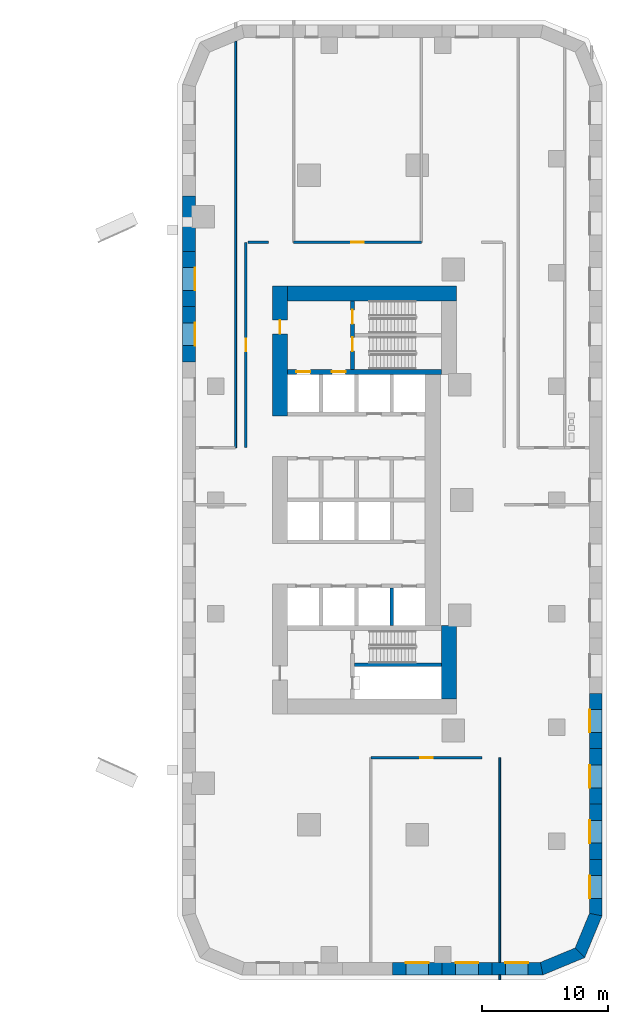
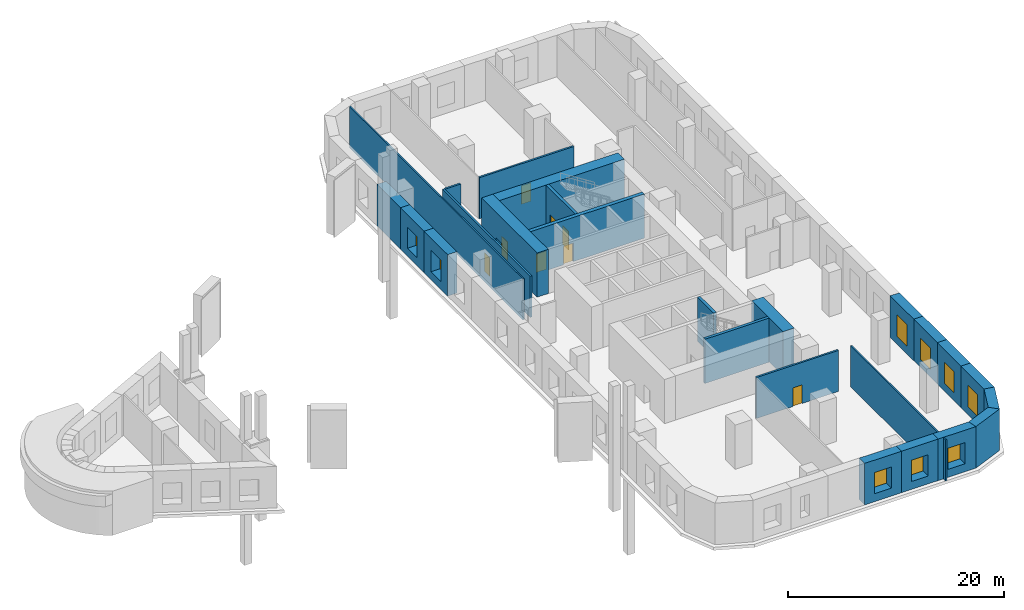
# One storey, part 4 of 11: 26 walls, 9 windows, 8 doors, 17 openings.
"""IFC4 building model written with IfcOpenShell, lengths in metres."""

from ifc_helpers import new_model, si_unit, direction, frame, frame_2d, origin, place, context, subcontext, project, spatial, polyline, rectangle, outline, extrude, material, layer, layer_set, type_object, element, fill, save


model = new_model("IFC4")

# Units and contexts
model_context = context("Model", 3, precision=1e-05, world=origin(), true_north=direction((0.0, 1.0)))
body_context = subcontext(model_context, "Body", "Model", "MODEL_VIEW")
ifc_project = project(units=[si_unit("LENGTHUNIT", "METRE"), si_unit("AREAUNIT", "SQUARE_METRE"), si_unit("VOLUMEUNIT", "CUBIC_METRE"), si_unit("PLANEANGLEUNIT", "RADIAN"), si_unit("MASSUNIT", "GRAM", prefix="KILO")], contexts=[model_context])

# Site, building, storey
site_placement = place(None, origin())
site = spatial("IfcSite", under=ifc_project, at=site_placement, CompositionType="ELEMENT")
building_placement = place(site_placement, origin())
building = spatial("IfcBuilding", under=site, at=building_placement, Name="Ostrand Prow Hotel Tower", CompositionType="ELEMENT")
storey_placement = place(building_placement, frame((0.0, 0.0, 19.0)))
storey = spatial("IfcBuildingStorey", under=building, at=storey_placement, Name="L03", CompositionType="ELEMENT", Elevation=19.0)

# Wall, opening, door
ifc_material_1 = material(Name="Concrete C80/95", Category="concrete")
ifc_layer_1 = layer(ifc_material_1, 1.199951171875)
ifc_layer_set_1 = layer_set([ifc_layer_1], Name="Concrete C80/95")
wall_type_1 = type_object("IfcWallType", Name="Core wall 1200 C80/95", PredefinedType="SHEAR", material=ifc_layer_set_1)
wall_1_placement = place(storey_placement, frame((50.10009765625, 6.64990234375, 0.0), z_axis=(0.0, 0.0, 1.0), x_axis=(0.0, 1.0, 0.0)))
wall_1 = element("IfcWall", 1, at=wall_1_placement, inside=storey, type_object=wall_type_1, Name="Core wall CW-W-N", PredefinedType="SHEAR", context=body_context, shape_type="SweptSolid", body=[
    extrude(rectangle(XDim=10.300048828125, YDim=1.199951171875, at=frame_2d((5.14990234375, 0.0))), origin(), (0.0, 0.0, 1.0), 5.0),
])
opening_1_placement = place(wall_1_placement, frame((6.5, 0.0, 0.0)))
opening_1 = element("IfcOpeningElement", 2, at=opening_1_placement, cuts=wall_1, Name="Opening FD1", PredefinedType="OPENING", context=body_context, shape_type="SweptSolid", body=[
    extrude(rectangle(XDim=1.10009765625, YDim=2.10009765625, at=frame_2d((0.550048828125, 1.050048828125))), frame((0.0, 0.60986328125, 0.0), z_axis=(0.0, -1.0, 0.0), x_axis=(1.0, 0.0, 0.0)), (0.0, 0.0, 1.0), 1.219970703125),
])
ifc_material_2 = material(Name="Steel fire door", Category="steel")
door_type_1 = type_object("IfcDoorType", Name="Fire door 1100 EI120", OperationType="SINGLE_SWING_RIGHT", PredefinedType="DOOR", material=ifc_material_2)
door_1_placement = place(opening_1_placement, origin())
door_1 = element("IfcDoor", 3, at=door_1_placement, inside=storey, type_object=door_type_1, Name="FIRE DOOR", OperationType="SINGLE_SWING_RIGHT", OverallHeight=2.10009765625, OverallWidth=1.10009765625, PredefinedType="DOOR", context=body_context, shape_type="SweptSolid", body=[
    extrude(rectangle(XDim=1.10009765625, YDim=2.10009765625, at=frame_2d((0.550048828125, 1.050048828125))), frame((0.0, 0.02490234375, 0.0), z_axis=(0.0, -1.0, 0.0), x_axis=(1.0, 0.0, 0.0)), (0.0, 0.0, 1.0), 0.050048828125),
])
fill(opening_1, door_1)

# Walls
wall_2_placement = place(storey_placement, frame((50.699951171875, 16.35009765625, 0.0), z_axis=(0.0, 0.0, 1.0), x_axis=(1.0, 0.0, 0.0)))
element("IfcWall", 4, at=wall_2_placement, inside=storey, type_object=wall_type_1, Name="Core wall CW-N", PredefinedType="SHEAR", context=body_context, shape_type="SweptSolid", body=[
    extrude(rectangle(XDim=13.380126953125, YDim=1.199951171875, at=frame_2d((6.68994140625, 0.0))), origin(), (0.0, 0.0, 1.0), 5.0),
])
wall_3_placement = place(storey_placement, frame((63.47998046875, -15.75, 0.0), z_axis=(0.0, 0.0, 1.0), x_axis=(0.0, 1.0, 0.0)))
element("IfcWall", 5, at=wall_3_placement, inside=storey, type_object=wall_type_1, Name="Core wall CW-E-S", PredefinedType="SHEAR", context=body_context, shape_type="SweptSolid", body=[
    extrude(rectangle(XDim=5.800048828125, YDim=1.199951171875, at=frame_2d((2.89990234375, 0.0))), origin(), (0.0, 0.0, 1.0), 5.0),
])
ifc_material_3 = material(Name="Concrete C80/95", Category="concrete")
ifc_layer_2 = layer(ifc_material_3, 0.300048828125)
ifc_layer_set_2 = layer_set([ifc_layer_2], Name="Concrete C80/95")
wall_type_2 = type_object("IfcWallType", Name="Core wall 300 C80/95", PredefinedType="SHEAR", material=ifc_layer_set_2)
wall_4_placement = place(storey_placement, frame((58.949951171875, -9.949951171875, 0.0), z_axis=(0.0, 0.0, 1.0), x_axis=(0.0, 1.0, 0.0)))
element("IfcWall", 6, at=wall_4_placement, inside=storey, type_object=wall_type_2, Name="Core wall PW-R3-SA", PredefinedType="SHEAR", context=body_context, shape_type="SweptSolid", body=[
    extrude(rectangle(XDim=3.0, YDim=0.300048828125, at=frame_2d((1.5, 0.0))), origin(), (0.0, 0.0, 1.0), 5.0),
])

# Wall, openings, doors
wall_5_placement = place(storey_placement, frame((55.85009765625, 10.35009765625, 0.0), z_axis=(0.0, 0.0, 1.0), x_axis=(0.0, 1.0, 0.0)))
wall_5 = element("IfcWall", 7, at=wall_5_placement, inside=storey, type_object=wall_type_2, Name="Core wall PW-VN", PredefinedType="SHEAR", context=body_context, shape_type="SweptSolid", body=[
    extrude(rectangle(XDim=5.39990234375, YDim=0.300048828125, at=frame_2d((2.699951171875, 0.0))), origin(), (0.0, 0.0, 1.0), 5.0),
])
opening_2_placement = place(wall_5_placement, frame((1.429931640625, 0.0, 0.0)))
opening_2 = element("IfcOpeningElement", 8, at=opening_2_placement, cuts=wall_5, Name="Opening FD1", PredefinedType="OPENING", context=body_context, shape_type="SweptSolid", body=[
    extrude(rectangle(XDim=1.10009765625, YDim=2.10009765625, at=frame_2d((0.550048828125, 1.050048828125))), frame((0.0, 0.159912109375, 0.0), z_axis=(0.0, -1.0, 0.0), x_axis=(1.0, 0.0, 0.0)), (0.0, 0.0, 1.0), 0.320068359375),
])
opening_3_placement = place(wall_5_placement, frame((3.60009765625, 0.0, 0.0)))
opening_3 = element("IfcOpeningElement", 9, at=opening_3_placement, cuts=wall_5, Name="Opening FD1", PredefinedType="OPENING", context=body_context, shape_type="SweptSolid", body=[
    extrude(rectangle(XDim=1.10009765625, YDim=2.10009765625, at=frame_2d((0.550048828125, 1.050048828125))), frame((0.0, 0.159912109375, 0.0), z_axis=(0.0, -1.0, 0.0), x_axis=(1.0, 0.0, 0.0)), (0.0, 0.0, 1.0), 0.320068359375),
])
door_2_placement = place(opening_2_placement, origin())
door_2 = element("IfcDoor", 10, at=door_2_placement, inside=storey, type_object=door_type_1, Name="FIRE DOOR", OperationType="SINGLE_SWING_RIGHT", OverallHeight=2.10009765625, OverallWidth=1.10009765625, PredefinedType="DOOR", context=body_context, shape_type="SweptSolid", body=[
    extrude(rectangle(XDim=1.10009765625, YDim=2.10009765625, at=frame_2d((0.550048828125, 1.050048828125))), frame((0.0, 0.02490234375, 0.0), z_axis=(0.0, -1.0, 0.0), x_axis=(1.0, 0.0, 0.0)), (0.0, 0.0, 1.0), 0.050048828125),
])
fill(opening_2, door_2)
door_3_placement = place(opening_3_placement, origin())
door_3 = element("IfcDoor", 11, at=door_3_placement, inside=storey, type_object=door_type_1, Name="FIRE DOOR", OperationType="SINGLE_SWING_RIGHT", OverallHeight=2.10009765625, OverallWidth=1.10009765625, PredefinedType="DOOR", context=body_context, shape_type="SweptSolid", body=[
    extrude(rectangle(XDim=1.10009765625, YDim=2.10009765625, at=frame_2d((0.550048828125, 1.050048828125))), frame((0.0, 0.02490234375, 0.0), z_axis=(0.0, -1.0, 0.0), x_axis=(1.0, 0.0, 0.0)), (0.0, 0.0, 1.0), 0.050048828125),
])
fill(opening_3, door_3)

# Wall
wall_6_placement = place(storey_placement, frame((56.0, -13.050048828125, 0.0), z_axis=(0.0, 0.0, 1.0), x_axis=(1.0, 0.0, 0.0)))
element("IfcWall", 12, at=wall_6_placement, inside=storey, type_object=wall_type_2, Name="Core wall PW-ST2R", PredefinedType="SHEAR", context=body_context, shape_type="SweptSolid", body=[
    extrude(rectangle(XDim=6.8798828125, YDim=0.300048828125, at=frame_2d((3.43994140625, 0.0))), origin(), (0.0, 0.0, 1.0), 5.0),
])

# Wall, openings, doors
ifc_material_4 = material(Name="Concrete C80/95", Category="concrete")
ifc_layer_3 = layer(ifc_material_4, 0.39990234375)
ifc_layer_set_3 = layer_set([ifc_layer_3], Name="Concrete C80/95")
wall_type_3 = type_object("IfcWallType", Name="Core wall 400 C80/95", PredefinedType="SHEAR", material=ifc_layer_set_3)
wall_7_placement = place(storey_placement, frame((50.699951171875, 10.14990234375, 0.0), z_axis=(0.0, 0.0, 1.0), x_axis=(1.0, 0.0, 0.0)))
wall_7 = element("IfcWall", 13, at=wall_7_placement, inside=storey, type_object=wall_type_3, Name="Core wall PW-BN", PredefinedType="SHEAR", context=body_context, shape_type="SweptSolid", body=[
    extrude(rectangle(XDim=12.179931640625, YDim=0.39990234375, at=frame_2d((6.08984375, 0.0))), origin(), (0.0, 0.0, 1.0), 5.0),
])
opening_4_placement = place(wall_7_placement, frame((0.699951171875, 0.0, 0.0)))
opening_4 = element("IfcOpeningElement", 14, at=opening_4_placement, cuts=wall_7, Name="Opening LD", PredefinedType="OPENING", context=body_context, shape_type="SweptSolid", body=[
    extrude(rectangle(XDim=1.10009765625, YDim=2.10009765625, at=frame_2d((0.550048828125, 1.050048828125))), frame((0.0, 0.2099609375, 0.0), z_axis=(0.0, -1.0, 0.0), x_axis=(1.0, 0.0, 0.0)), (0.0, 0.0, 1.0), 0.419921875),
])
opening_5_placement = place(wall_7_placement, frame((3.5, 0.0, 0.0)))
opening_5 = element("IfcOpeningElement", 15, at=opening_5_placement, cuts=wall_7, Name="Opening LD", PredefinedType="OPENING", context=body_context, shape_type="SweptSolid", body=[
    extrude(rectangle(XDim=1.10009765625, YDim=2.10009765625, at=frame_2d((0.550048828125, 1.050048828125))), frame((0.0, 0.2099609375, 0.0), z_axis=(0.0, -1.0, 0.0), x_axis=(1.0, 0.0, 0.0)), (0.0, 0.0, 1.0), 0.419921875),
])
ifc_material_5 = material(Name="Stainless steel door", Category="steel")
door_type_2 = type_object("IfcDoorType", Name="Lift landing door 1100", OperationType="DOUBLE_DOOR_SLIDING", PredefinedType="DOOR", material=ifc_material_5)
door_4_placement = place(opening_4_placement, origin())
door_4 = element("IfcDoor", 16, at=door_4_placement, inside=storey, type_object=door_type_2, Name="LIFT LANDING DOOR", OperationType="DOUBLE_DOOR_SLIDING", OverallHeight=2.10009765625, OverallWidth=1.10009765625, PredefinedType="DOOR", context=body_context, shape_type="SweptSolid", body=[
    extrude(rectangle(XDim=1.10009765625, YDim=2.10009765625, at=frame_2d((0.550048828125, 1.050048828125))), frame((0.0, 0.02490234375, 0.0), z_axis=(0.0, -1.0, 0.0), x_axis=(1.0, 0.0, 0.0)), (0.0, 0.0, 1.0), 0.050048828125),
])
fill(opening_4, door_4)
door_5_placement = place(opening_5_placement, origin())
door_5 = element("IfcDoor", 17, at=door_5_placement, inside=storey, type_object=door_type_2, Name="LIFT LANDING DOOR", OperationType="DOUBLE_DOOR_SLIDING", OverallHeight=2.10009765625, OverallWidth=1.10009765625, PredefinedType="DOOR", context=body_context, shape_type="SweptSolid", body=[
    extrude(rectangle(XDim=1.10009765625, YDim=2.10009765625, at=frame_2d((0.550048828125, 1.050048828125))), frame((0.0, 0.02490234375, 0.0), z_axis=(0.0, -1.0, 0.0), x_axis=(1.0, 0.0, 0.0)), (0.0, 0.0, 1.0), 0.050048828125),
])
fill(opening_5, door_5)

# Walls
ifc_material_6 = material(Name="Plasterboard partition")
ifc_layer_4 = layer(ifc_material_6, 0.14990234375)
ifc_layer_set_4 = layer_set([ifc_layer_4], Name="Plasterboard partition")
wall_type_4 = type_object("IfcWallType", Name="Partition 150 room partition", PredefinedType="PARTITIONING", material=ifc_layer_set_4)
wall_8_placement = place(storey_placement, frame((67.5, -38.0, 0.0), z_axis=(0.0, 0.0, 1.0), x_axis=(0.0, 1.0, 0.0)))
element("IfcWall", 18, at=wall_8_placement, inside=storey, type_object=wall_type_4, Name="ROOM PARTITION", PredefinedType="PARTITIONING", context=body_context, shape_type="SweptSolid", body=[
    extrude(rectangle(XDim=0.39990234375, YDim=0.14990234375, at=frame_2d((0.199951171875, 0.0))), origin(), (0.0, 0.0, 1.0), 4.64990234375),
])
wall_9_placement = place(storey_placement, frame((67.5, -36.60009765625, 0.0), z_axis=(0.0, 0.0, 1.0), x_axis=(0.0, 1.0, 0.0)))
element("IfcWall", 19, at=wall_9_placement, inside=storey, type_object=wall_type_4, Name="ROOM PARTITION", PredefinedType="PARTITIONING", context=body_context, shape_type="SweptSolid", body=[
    extrude(rectangle(XDim=16.2001953125, YDim=0.14990234375, at=frame_2d((8.10009765625, 0.0))), origin(), (0.0, 0.0, 1.0), 4.64990234375),
])
wall_10_placement = place(storey_placement, frame((46.594482421875, 4.138671875, 0.0), z_axis=(0.0, 0.0, 1.0), x_axis=(0.0, 1.0, 0.0)))
element("IfcWall", 20, at=wall_10_placement, inside=storey, type_object=wall_type_4, Name="ROOM PARTITION", PredefinedType="PARTITIONING", context=body_context, shape_type="SweptSolid", body=[
    extrude(rectangle(XDim=32.177978515625, YDim=0.14990234375, at=frame_2d((16.0888671875, 0.0))), origin(), (0.0, 0.0, 1.0), 4.64990234375),
])

# Wall, opening, door
ifc_material_7 = material(Name="Plasterboard partition")
ifc_layer_5 = layer(ifc_material_7, 0.199951171875)
ifc_layer_set_5 = layer_set([ifc_layer_5], Name="Plasterboard partition")
wall_type_5 = type_object("IfcWallType", Name="Partition 200 corridor wall", PredefinedType="PARTITIONING", material=ifc_layer_set_5)
wall_11_placement = place(storey_placement, frame((57.300048828125, -20.39990234375, 0.0), z_axis=(0.0, 0.0, 1.0), x_axis=(1.0, 0.0, 0.0)))
wall_11 = element("IfcWall", 21, at=wall_11_placement, inside=storey, type_object=wall_type_5, Name="CORRIDOR WALL", PredefinedType="PARTITIONING", context=body_context, shape_type="SweptSolid", body=[
    extrude(rectangle(XDim=8.7900390625, YDim=0.199951171875, at=frame_2d((4.39501953125, 0.0))), origin(), (0.0, 0.0, 1.0), 4.64990234375),
])
opening_6_placement = place(wall_11_placement, frame((3.89501953125, 0.0, 0.0)))
opening_6 = element("IfcOpeningElement", 22, at=opening_6_placement, cuts=wall_11, Name="Opening D1R", PredefinedType="OPENING", context=body_context, shape_type="SweptSolid", body=[
    extrude(rectangle(XDim=1.0, YDim=2.10009765625, at=frame_2d((0.5, 1.050048828125))), frame((0.0, 0.10986328125, 0.0), z_axis=(0.0, -1.0, 0.0), x_axis=(1.0, 0.0, 0.0)), (0.0, 0.0, 1.0), 0.219970703125),
])
ifc_material_8 = material(Name="Timber door leaf", Category="wood")
door_type_3 = type_object("IfcDoorType", Name="Guest room door 1000 right", OperationType="SINGLE_SWING_RIGHT", PredefinedType="DOOR", material=ifc_material_8)
door_6_placement = place(opening_6_placement, origin())
door_6 = element("IfcDoor", 23, at=door_6_placement, inside=storey, type_object=door_type_3, Name="DOOR", OperationType="SINGLE_SWING_RIGHT", OverallHeight=2.10009765625, OverallWidth=1.0, PredefinedType="DOOR", context=body_context, shape_type="SweptSolid", body=[
    extrude(rectangle(XDim=1.0, YDim=2.10009765625, at=frame_2d((0.5, 1.050048828125))), frame((0.0, 0.02490234375, 0.0), z_axis=(0.0, -1.0, 0.0), x_axis=(1.0, 0.0, 0.0)), (0.0, 0.0, 1.0), 0.050048828125),
])
fill(opening_6, door_6)

wall_12_placement = place(storey_placement, frame((47.39990234375, 20.39990234375, 0.0), z_axis=(0.0, 0.0, 1.0), x_axis=(0.0, -1.0, 0.0)))
wall_12 = element("IfcWall", 24, at=wall_12_placement, inside=storey, type_object=wall_type_5, Name="CORRIDOR WALL", PredefinedType="PARTITIONING", context=body_context, shape_type="SweptSolid", body=[
    extrude(rectangle(XDim=16.26123046875, YDim=0.199951171875, at=frame_2d((8.130615234375, 0.0))), origin(), (0.0, 0.0, 1.0), 4.64990234375),
])
opening_7_placement = place(wall_12_placement, frame((7.630615234375, 0.0, 0.0)))
opening_7 = element("IfcOpeningElement", 25, at=opening_7_placement, cuts=wall_12, Name="Opening D1", PredefinedType="OPENING", context=body_context, shape_type="SweptSolid", body=[
    extrude(rectangle(XDim=1.0, YDim=2.10009765625, at=frame_2d((0.5, 1.050048828125))), frame((0.0, 0.10986328125, 0.0), z_axis=(0.0, -1.0, 0.0), x_axis=(1.0, 0.0, 0.0)), (0.0, 0.0, 1.0), 0.219970703125),
])
ifc_material_9 = material(Name="Timber door leaf", Category="wood")
door_type_4 = type_object("IfcDoorType", Name="Guest room door 1000", OperationType="SINGLE_SWING_LEFT", PredefinedType="DOOR", material=ifc_material_9)
door_7_placement = place(opening_7_placement, origin())
door_7 = element("IfcDoor", 26, at=door_7_placement, inside=storey, type_object=door_type_4, Name="DOOR", OperationType="SINGLE_SWING_LEFT", OverallHeight=2.10009765625, OverallWidth=1.0, PredefinedType="DOOR", context=body_context, shape_type="SweptSolid", body=[
    extrude(rectangle(XDim=1.0, YDim=2.10009765625, at=frame_2d((0.5, 1.050048828125))), frame((0.0, 0.02490234375, 0.0), z_axis=(0.0, -1.0, 0.0), x_axis=(1.0, 0.0, 0.0)), (0.0, 0.0, 1.0), 0.050048828125),
])
fill(opening_7, door_7)

wall_13_placement = place(storey_placement, frame((61.29736328125, 20.39990234375, 0.0), z_axis=(0.0, 0.0, 1.0), x_axis=(-1.0, 0.0, 0.0)))
wall_13 = element("IfcWall", 27, at=wall_13_placement, inside=storey, type_object=wall_type_5, Name="CORRIDOR WALL", PredefinedType="PARTITIONING", context=body_context, shape_type="SweptSolid", body=[
    extrude(rectangle(XDim=10.108154296875, YDim=0.199951171875, at=frame_2d((5.05419921875, 0.0))), origin(), (0.0, 0.0, 1.0), 4.64990234375),
])
opening_8_placement = place(wall_13_placement, frame((4.55419921875, 0.0, 0.0)))
opening_8 = element("IfcOpeningElement", 28, at=opening_8_placement, cuts=wall_13, Name="Opening D1R", PredefinedType="OPENING", context=body_context, shape_type="SweptSolid", body=[
    extrude(rectangle(XDim=1.0, YDim=2.10009765625, at=frame_2d((0.5, 1.050048828125))), frame((0.0, 0.10986328125, 0.0), z_axis=(0.0, -1.0, 0.0), x_axis=(1.0, 0.0, 0.0)), (0.0, 0.0, 1.0), 0.219970703125),
])
door_8_placement = place(opening_8_placement, origin())
door_8 = element("IfcDoor", 29, at=door_8_placement, inside=storey, type_object=door_type_3, Name="DOOR", OperationType="SINGLE_SWING_RIGHT", OverallHeight=2.10009765625, OverallWidth=1.0, PredefinedType="DOOR", context=body_context, shape_type="SweptSolid", body=[
    extrude(rectangle(XDim=1.0, YDim=2.10009765625, at=frame_2d((0.5, 1.050048828125))), frame((0.0, 0.02490234375, 0.0), z_axis=(0.0, -1.0, 0.0), x_axis=(1.0, 0.0, 0.0)), (0.0, 0.0, 1.0), 0.050048828125),
])
fill(opening_8, door_8)

# Wall
wall_14_placement = place(storey_placement, frame((47.550048828125, 20.39990234375, 0.0), z_axis=(0.0, 0.0, 1.0), x_axis=(1.0, 0.0, 0.0)))
element("IfcWall", 30, at=wall_14_placement, inside=storey, type_object=wall_type_5, Name="CORRIDOR WALL", PredefinedType="PARTITIONING", context=body_context, shape_type="SweptSolid", body=[
    extrude(rectangle(XDim=1.64990234375, YDim=0.199951171875, at=frame_2d((0.824951171875, 0.0))), origin(), (0.0, 0.0, 1.0), 4.64990234375),
])

# Wall, opening, window
ifc_material_10 = material(Name="Precast concrete C40/50", Category="concrete")
ifc_layer_6 = layer(ifc_material_10, 1.0)
ifc_layer_set_6 = layer_set([ifc_layer_6], Name="Precast concrete C40/50")
wall_type_6 = type_object("IfcWallType", Name="Portal pier wall 1000 mm", PredefinedType="NOTDEFINED", material=ifc_layer_set_6)
wall_15_placement = place(storey_placement, frame((59.0, -37.10009765625, 0.0), z_axis=(0.0, 0.0, 1.0), x_axis=(1.0, 0.0, 0.0)))
wall_15 = element("IfcWall", 31, at=wall_15_placement, inside=storey, type_object=wall_type_6, Name="Portal pier wall L03-PP103", PredefinedType="NOTDEFINED", context=body_context, shape_type="SweptSolid", body=[
    extrude(outline(polyline([(0.0, -0.5), (3.940185546875, -0.5), (3.940185546875, 0.5), (0.0, 0.5), (0.0, -0.5)])), origin(), (0.0, 0.0, 1.0), 4.699951171875),
])
opening_9_placement = place(wall_15_placement, frame((1.0703125, 0.0, 0.89990234375)))
opening_9 = element("IfcOpeningElement", 32, at=opening_9_placement, cuts=wall_15, Name="Opening WP2", PredefinedType="OPENING", context=body_context, shape_type="SweptSolid", body=[
    extrude(rectangle(XDim=1.800048828125, YDim=2.39990234375, at=frame_2d((0.89990234375, 1.199951171875))), frame((0.0, 0.510009765625, 0.0), z_axis=(0.0, -1.0, 0.0), x_axis=(1.0, 0.0, 0.0)), (0.0, 0.0, 1.0), 1.02001953125),
])
ifc_material_11 = material(Name="Insulated glass in bronze anodised frame", Category="glass")
window_type = type_object("IfcWindowType", Name="Portal window 1800x2400", PartitioningType="SINGLE_PANEL", PredefinedType="WINDOW", material=ifc_material_11)
window_1_placement = place(opening_9_placement, origin())
window_1 = element("IfcWindow", 33, at=window_1_placement, inside=storey, type_object=window_type, Name="Portal window L03-PP103", OverallHeight=2.39990234375, OverallWidth=1.800048828125, PartitioningType="SINGLE_PANEL", PredefinedType="WINDOW", context=body_context, shape_type="SweptSolid", body=[
    extrude(rectangle(XDim=1.800048828125, YDim=2.39990234375, at=frame_2d((0.89990234375, 1.199951171875))), frame((0.0, 0.5, 0.0), z_axis=(0.0, -1.0, 0.0), x_axis=(1.0, 0.0, 0.0)), (0.0, 0.0, 1.0), 0.06005859375),
])
fill(opening_9, window_1)

wall_16_placement = place(storey_placement, frame((62.940185546875, -37.10009765625, 0.0), z_axis=(0.0, 0.0, 1.0), x_axis=(1.0, 0.0, 0.0)))
wall_16 = element("IfcWall", 34, at=wall_16_placement, inside=storey, type_object=wall_type_6, Name="Portal pier wall L03-PP104", PredefinedType="NOTDEFINED", context=body_context, shape_type="SweptSolid", body=[
    extrude(outline(polyline([(0.0, -0.5), (3.9404296875, -0.5), (3.9404296875, 0.5), (0.0, 0.5), (0.0, -0.5)])), origin(), (0.0, 0.0, 1.0), 4.699951171875),
])
opening_10_placement = place(wall_16_placement, frame((1.0703125, 0.0, 0.89990234375)))
opening_10 = element("IfcOpeningElement", 35, at=opening_10_placement, cuts=wall_16, Name="Opening WP2", PredefinedType="OPENING", context=body_context, shape_type="SweptSolid", body=[
    extrude(rectangle(XDim=1.800048828125, YDim=2.39990234375, at=frame_2d((0.89990234375, 1.199951171875))), frame((0.0, 0.510009765625, 0.0), z_axis=(0.0, -1.0, 0.0), x_axis=(1.0, 0.0, 0.0)), (0.0, 0.0, 1.0), 1.02001953125),
])
window_2_placement = place(opening_10_placement, origin())
window_2 = element("IfcWindow", 36, at=window_2_placement, inside=storey, type_object=window_type, Name="Portal window L03-PP104", OverallHeight=2.39990234375, OverallWidth=1.800048828125, PartitioningType="SINGLE_PANEL", PredefinedType="WINDOW", context=body_context, shape_type="SweptSolid", body=[
    extrude(rectangle(XDim=1.800048828125, YDim=2.39990234375, at=frame_2d((0.89990234375, 1.199951171875))), frame((0.0, 0.5, 0.0), z_axis=(0.0, -1.0, 0.0), x_axis=(1.0, 0.0, 0.0)), (0.0, 0.0, 1.0), 0.06005859375),
])
fill(opening_10, window_2)

wall_17_placement = place(storey_placement, frame((66.880615234375, -37.10009765625, 0.0), z_axis=(0.0, 0.0, 1.0), x_axis=(1.0, 0.0, 0.0)))
wall_17 = element("IfcWall", 37, at=wall_17_placement, inside=storey, type_object=wall_type_6, Name="Portal pier wall L03-PP105", PredefinedType="NOTDEFINED", context=body_context, shape_type="SweptSolid", body=[
    extrude(outline(polyline([(0.0, -0.5), (4.0400390625, -0.5), (3.8408203125, 0.5), (0.0, 0.5), (0.0, -0.5)])), origin(), (0.0, 0.0, 1.0), 4.699951171875),
])
opening_11_placement = place(wall_17_placement, frame((1.0703125, 0.0, 0.89990234375)))
opening_11 = element("IfcOpeningElement", 38, at=opening_11_placement, cuts=wall_17, Name="Opening WP2", PredefinedType="OPENING", context=body_context, shape_type="SweptSolid", body=[
    extrude(rectangle(XDim=1.800048828125, YDim=2.39990234375, at=frame_2d((0.89990234375, 1.199951171875))), frame((0.0, 0.510009765625, 0.0), z_axis=(0.0, -1.0, 0.0), x_axis=(1.0, 0.0, 0.0)), (0.0, 0.0, 1.0), 1.02001953125),
])
window_3_placement = place(opening_11_placement, origin())
window_3 = element("IfcWindow", 39, at=window_3_placement, inside=storey, type_object=window_type, Name="Portal window L03-PP105", OverallHeight=2.39990234375, OverallWidth=1.800048828125, PartitioningType="SINGLE_PANEL", PredefinedType="WINDOW", context=body_context, shape_type="SweptSolid", body=[
    extrude(rectangle(XDim=1.800048828125, YDim=2.39990234375, at=frame_2d((0.89990234375, 1.199951171875))), frame((0.0, 0.5, 0.0), z_axis=(0.0, -1.0, 0.0), x_axis=(1.0, 0.0, 0.0)), (0.0, 0.0, 1.0), 0.06005859375),
])
fill(opening_11, window_3)

# Walls
wall_18_placement = place(storey_placement, frame((70.821044921875, -37.10009765625, 0.0), z_axis=(0.0, 0.0, 1.0), x_axis=(0.923862365102, 0.382724875529, 0.0)))
element("IfcWall", 40, at=wall_18_placement, inside=storey, type_object=wall_type_6, Name="Portal pier wall L03-PP106", PredefinedType="NOTDEFINED", context=body_context, shape_type="SweptSolid", body=[
    extrude(outline(polyline([(-0.099609375, -0.5), (3.48193359375, -0.5), (3.06787109375, 0.5), (0.099609375, 0.5), (-0.099609375, -0.5)])), origin(), (0.0, 0.0, 1.0), 4.699951171875),
])
wall_19_placement = place(storey_placement, frame((73.8466796875, -35.8466796875, 0.0), z_axis=(0.0, 0.0, 1.0), x_axis=(0.382724875529, 0.923862365102, 0.0)))
element("IfcWall", 41, at=wall_19_placement, inside=storey, type_object=wall_type_6, Name="Portal pier wall L03-PP107", PredefinedType="NOTDEFINED", context=body_context, shape_type="SweptSolid", body=[
    extrude(outline(polyline([(-0.20703125, -0.5), (3.37451171875, -0.5), (3.17529296875, 0.5), (0.20703125, 0.5), (-0.20703125, -0.5)])), origin(), (0.0, 0.0, 1.0), 4.699951171875),
])

# Wall, opening, window
wall_20_placement = place(storey_placement, frame((75.10009765625, -32.821044921875, 0.0), z_axis=(0.0, 0.0, 1.0), x_axis=(0.0, 1.0, 0.0)))
wall_20 = element("IfcWall", 42, at=wall_20_placement, inside=storey, type_object=wall_type_6, Name="Portal pier wall L03-PP108", PredefinedType="NOTDEFINED", context=body_context, shape_type="SweptSolid", body=[
    extrude(outline(polyline([(-0.099609375, -0.5), (4.376220703125, -0.5), (4.376220703125, 0.5), (0.099609375, 0.5), (-0.099609375, -0.5)])), origin(), (0.0, 0.0, 1.0), 4.699951171875),
])
opening_12_placement = place(wall_20_placement, frame((1.2880859375, 0.0, 0.89990234375)))
opening_12 = element("IfcOpeningElement", 43, at=opening_12_placement, cuts=wall_20, Name="Opening WP2", PredefinedType="OPENING", context=body_context, shape_type="SweptSolid", body=[
    extrude(rectangle(XDim=1.800048828125, YDim=2.39990234375, at=frame_2d((0.89990234375, 1.199951171875))), frame((0.0, 0.510009765625, 0.0), z_axis=(0.0, -1.0, 0.0), x_axis=(1.0, 0.0, 0.0)), (0.0, 0.0, 1.0), 1.02001953125),
])
window_4_placement = place(opening_12_placement, origin())
window_4 = element("IfcWindow", 44, at=window_4_placement, inside=storey, type_object=window_type, Name="Portal window L03-PP108", OverallHeight=2.39990234375, OverallWidth=1.800048828125, PartitioningType="SINGLE_PANEL", PredefinedType="WINDOW", context=body_context, shape_type="SweptSolid", body=[
    extrude(rectangle(XDim=1.800048828125, YDim=2.39990234375, at=frame_2d((0.89990234375, 1.199951171875))), frame((0.0, 0.5, 0.0), z_axis=(0.0, -1.0, 0.0), x_axis=(1.0, 0.0, 0.0)), (0.0, 0.0, 1.0), 0.06005859375),
])
fill(opening_12, window_4)

wall_21_placement = place(storey_placement, frame((75.10009765625, -28.44482421875, 0.0), z_axis=(0.0, 0.0, 1.0), x_axis=(0.0, 1.0, 0.0)))
wall_21 = element("IfcWall", 45, at=wall_21_placement, inside=storey, type_object=wall_type_6, Name="Portal pier wall L03-PP109", PredefinedType="NOTDEFINED", context=body_context, shape_type="SweptSolid", body=[
    extrude(outline(polyline([(0.0, -0.5), (4.376220703125, -0.5), (4.376220703125, 0.5), (0.0, 0.5), (0.0, -0.5)])), origin(), (0.0, 0.0, 1.0), 4.699951171875),
])
opening_13_placement = place(wall_21_placement, frame((1.2880859375, 0.0, 0.89990234375)))
opening_13 = element("IfcOpeningElement", 46, at=opening_13_placement, cuts=wall_21, Name="Opening WP2", PredefinedType="OPENING", context=body_context, shape_type="SweptSolid", body=[
    extrude(rectangle(XDim=1.800048828125, YDim=2.39990234375, at=frame_2d((0.89990234375, 1.199951171875))), frame((0.0, 0.510009765625, 0.0), z_axis=(0.0, -1.0, 0.0), x_axis=(1.0, 0.0, 0.0)), (0.0, 0.0, 1.0), 1.02001953125),
])
window_5_placement = place(opening_13_placement, origin())
window_5 = element("IfcWindow", 47, at=window_5_placement, inside=storey, type_object=window_type, Name="Portal window L03-PP109", OverallHeight=2.39990234375, OverallWidth=1.800048828125, PartitioningType="SINGLE_PANEL", PredefinedType="WINDOW", context=body_context, shape_type="SweptSolid", body=[
    extrude(rectangle(XDim=1.800048828125, YDim=2.39990234375, at=frame_2d((0.89990234375, 1.199951171875))), frame((0.0, 0.5, 0.0), z_axis=(0.0, -1.0, 0.0), x_axis=(1.0, 0.0, 0.0)), (0.0, 0.0, 1.0), 0.06005859375),
])
fill(opening_13, window_5)

wall_22_placement = place(storey_placement, frame((75.10009765625, -24.068603515625, 0.0), z_axis=(0.0, 0.0, 1.0), x_axis=(0.0, 1.0, 0.0)))
wall_22 = element("IfcWall", 48, at=wall_22_placement, inside=storey, type_object=wall_type_6, Name="Portal pier wall L03-PP110", PredefinedType="NOTDEFINED", context=body_context, shape_type="SweptSolid", body=[
    extrude(outline(polyline([(0.0, -0.5), (4.3759765625, -0.5), (4.3759765625, 0.5), (0.0, 0.5), (0.0, -0.5)])), origin(), (0.0, 0.0, 1.0), 4.699951171875),
])
opening_14_placement = place(wall_22_placement, frame((1.2880859375, 0.0, 0.89990234375)))
opening_14 = element("IfcOpeningElement", 49, at=opening_14_placement, cuts=wall_22, Name="Opening WP2", PredefinedType="OPENING", context=body_context, shape_type="SweptSolid", body=[
    extrude(rectangle(XDim=1.800048828125, YDim=2.39990234375, at=frame_2d((0.89990234375, 1.199951171875))), frame((0.0, 0.510009765625, 0.0), z_axis=(0.0, -1.0, 0.0), x_axis=(1.0, 0.0, 0.0)), (0.0, 0.0, 1.0), 1.02001953125),
])
window_6_placement = place(opening_14_placement, origin())
window_6 = element("IfcWindow", 50, at=window_6_placement, inside=storey, type_object=window_type, Name="Portal window L03-PP110", OverallHeight=2.39990234375, OverallWidth=1.800048828125, PartitioningType="SINGLE_PANEL", PredefinedType="WINDOW", context=body_context, shape_type="SweptSolid", body=[
    extrude(rectangle(XDim=1.800048828125, YDim=2.39990234375, at=frame_2d((0.89990234375, 1.199951171875))), frame((0.0, 0.5, 0.0), z_axis=(0.0, -1.0, 0.0), x_axis=(1.0, 0.0, 0.0)), (0.0, 0.0, 1.0), 0.06005859375),
])
fill(opening_14, window_6)

wall_23_placement = place(storey_placement, frame((75.10009765625, -19.692626953125, 0.0), z_axis=(0.0, 0.0, 1.0), x_axis=(0.0, 1.0, 0.0)))
wall_23 = element("IfcWall", 51, at=wall_23_placement, inside=storey, type_object=wall_type_6, Name="Portal pier wall L03-PP111", PredefinedType="NOTDEFINED", context=body_context, shape_type="SweptSolid", body=[
    extrude(outline(polyline([(0.0, -0.5), (4.376220703125, -0.5), (4.376220703125, 0.5), (0.0, 0.5), (0.0, -0.5)])), origin(), (0.0, 0.0, 1.0), 4.699951171875),
])
opening_15_placement = place(wall_23_placement, frame((1.2880859375, 0.0, 0.89990234375)))
opening_15 = element("IfcOpeningElement", 52, at=opening_15_placement, cuts=wall_23, Name="Opening WP2", PredefinedType="OPENING", context=body_context, shape_type="SweptSolid", body=[
    extrude(rectangle(XDim=1.800048828125, YDim=2.39990234375, at=frame_2d((0.89990234375, 1.199951171875))), frame((0.0, 0.510009765625, 0.0), z_axis=(0.0, -1.0, 0.0), x_axis=(1.0, 0.0, 0.0)), (0.0, 0.0, 1.0), 1.02001953125),
])
window_7_placement = place(opening_15_placement, origin())
window_7 = element("IfcWindow", 53, at=window_7_placement, inside=storey, type_object=window_type, Name="Portal window L03-PP111", OverallHeight=2.39990234375, OverallWidth=1.800048828125, PartitioningType="SINGLE_PANEL", PredefinedType="WINDOW", context=body_context, shape_type="SweptSolid", body=[
    extrude(rectangle(XDim=1.800048828125, YDim=2.39990234375, at=frame_2d((0.89990234375, 1.199951171875))), frame((0.0, 0.5, 0.0), z_axis=(0.0, -1.0, 0.0), x_axis=(1.0, 0.0, 0.0)), (0.0, 0.0, 1.0), 0.06005859375),
])
fill(opening_15, window_7)

# Wall
wall_24_placement = place(storey_placement, frame((42.89990234375, 24.068603515625, 0.0), z_axis=(0.0, 0.0, 1.0), x_axis=(0.0, -1.0, 0.0)))
element("IfcWall", 54, at=wall_24_placement, inside=storey, type_object=wall_type_6, Name="Portal pier wall L03-PP135", PredefinedType="NOTDEFINED", context=body_context, shape_type="SweptSolid", body=[
    extrude(outline(polyline([(0.0, -0.5), (4.3759765625, -0.5), (4.3759765625, 0.5), (0.0, 0.5), (0.0, -0.5)])), origin(), (0.0, 0.0, 1.0), 4.699951171875),
])

# Wall, opening, window
wall_25_placement = place(storey_placement, frame((42.89990234375, 19.692626953125, 0.0), z_axis=(0.0, 0.0, 1.0), x_axis=(0.0, -1.0, 0.0)))
wall_25 = element("IfcWall", 55, at=wall_25_placement, inside=storey, type_object=wall_type_6, Name="Portal pier wall L03-PP136", PredefinedType="NOTDEFINED", context=body_context, shape_type="SweptSolid", body=[
    extrude(outline(polyline([(0.0, -0.5), (4.376220703125, -0.5), (4.376220703125, 0.5), (0.0, 0.5), (0.0, -0.5)])), origin(), (0.0, 0.0, 1.0), 4.699951171875),
])
opening_16_placement = place(wall_25_placement, frame((1.2880859375, 0.0, 0.89990234375)))
opening_16 = element("IfcOpeningElement", 56, at=opening_16_placement, cuts=wall_25, Name="Opening WP2", PredefinedType="OPENING", context=body_context, shape_type="SweptSolid", body=[
    extrude(rectangle(XDim=1.800048828125, YDim=2.39990234375, at=frame_2d((0.89990234375, 1.199951171875))), frame((0.0, 0.510009765625, 0.0), z_axis=(0.0, -1.0, 0.0), x_axis=(1.0, 0.0, 0.0)), (0.0, 0.0, 1.0), 1.02001953125),
])
window_8_placement = place(opening_16_placement, origin())
window_8 = element("IfcWindow", 57, at=window_8_placement, inside=storey, type_object=window_type, Name="Portal window L03-PP136", OverallHeight=2.39990234375, OverallWidth=1.800048828125, PartitioningType="SINGLE_PANEL", PredefinedType="WINDOW", context=body_context, shape_type="SweptSolid", body=[
    extrude(rectangle(XDim=1.800048828125, YDim=2.39990234375, at=frame_2d((0.89990234375, 1.199951171875))), frame((0.0, 0.5, 0.0), z_axis=(0.0, -1.0, 0.0), x_axis=(1.0, 0.0, 0.0)), (0.0, 0.0, 1.0), 0.06005859375),
])
fill(opening_16, window_8)

wall_26_placement = place(storey_placement, frame((42.89990234375, 15.31640625, 0.0), z_axis=(0.0, 0.0, 1.0), x_axis=(0.0, -1.0, 0.0)))
wall_26 = element("IfcWall", 58, at=wall_26_placement, inside=storey, type_object=wall_type_6, Name="Portal pier wall L03-PP137", PredefinedType="NOTDEFINED", context=body_context, shape_type="SweptSolid", body=[
    extrude(outline(polyline([(0.0, -0.5), (4.376220703125, -0.5), (4.376220703125, 0.5), (0.0, 0.5), (0.0, -0.5)])), origin(), (0.0, 0.0, 1.0), 4.699951171875),
])
opening_17_placement = place(wall_26_placement, frame((1.2880859375, 0.0, 0.89990234375)))
opening_17 = element("IfcOpeningElement", 59, at=opening_17_placement, cuts=wall_26, Name="Opening WP2", PredefinedType="OPENING", context=body_context, shape_type="SweptSolid", body=[
    extrude(rectangle(XDim=1.800048828125, YDim=2.39990234375, at=frame_2d((0.89990234375, 1.199951171875))), frame((0.0, 0.510009765625, 0.0), z_axis=(0.0, -1.0, 0.0), x_axis=(1.0, 0.0, 0.0)), (0.0, 0.0, 1.0), 1.02001953125),
])
window_9_placement = place(opening_17_placement, origin())
window_9 = element("IfcWindow", 60, at=window_9_placement, inside=storey, type_object=window_type, Name="Portal window L03-PP137", OverallHeight=2.39990234375, OverallWidth=1.800048828125, PartitioningType="SINGLE_PANEL", PredefinedType="WINDOW", context=body_context, shape_type="SweptSolid", body=[
    extrude(rectangle(XDim=1.800048828125, YDim=2.39990234375, at=frame_2d((0.89990234375, 1.199951171875))), frame((0.0, 0.5, 0.0), z_axis=(0.0, -1.0, 0.0), x_axis=(1.0, 0.0, 0.0)), (0.0, 0.0, 1.0), 0.06005859375),
])
fill(opening_17, window_9)

save(model, "model.ifc")
